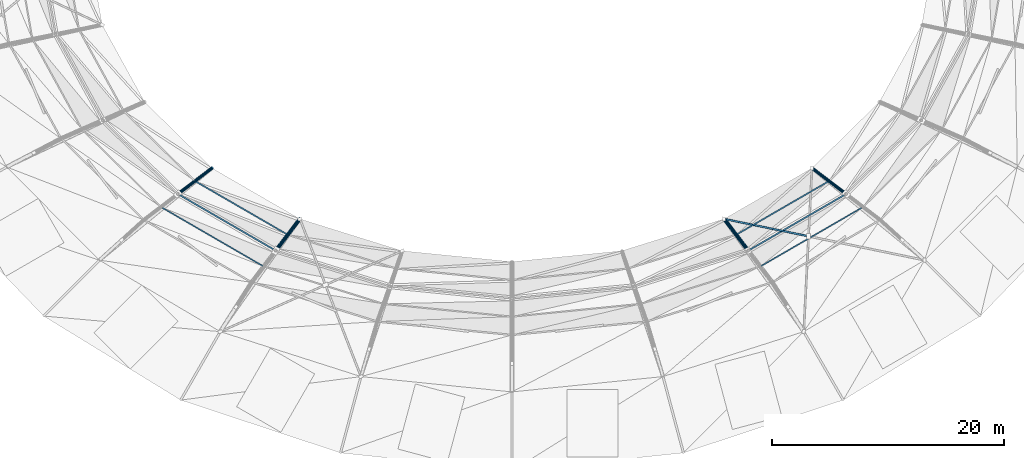
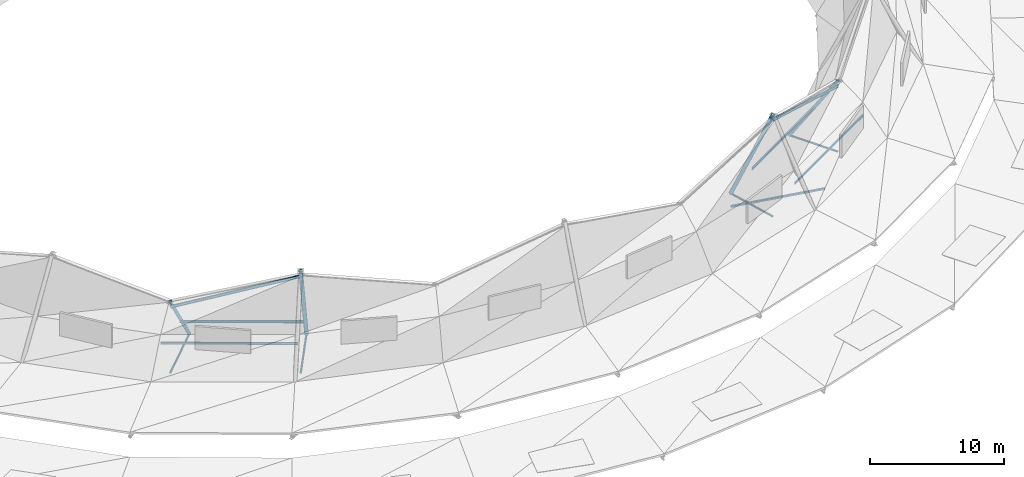
# One storey, part 10 of 36: 15 members.
"""IFC4 building model written with IfcOpenShell, lengths in metres."""

from ifc_helpers import new_model, si_unit, direction, frame, origin, origin_2d, place, context, subcontext, project, spatial, hollow_rectangle, hollow_circle, i_section, extrude, material, material_profile, profile_set, type_object, element, save


model = new_model("IFC4")

# Units and contexts
model_context = context("Model", 3, precision=1e-05, world=origin(), true_north=direction((0.0, 1.0)))
body_context = subcontext(model_context, "Body", "Model", "MODEL_VIEW")
ifc_project = project(units=[si_unit("LENGTHUNIT", "METRE"), si_unit("AREAUNIT", "SQUARE_METRE"), si_unit("VOLUMEUNIT", "CUBIC_METRE"), si_unit("PLANEANGLEUNIT", "RADIAN"), si_unit("MASSUNIT", "GRAM", prefix="KILO")], contexts=[model_context])

# Site, building, storey
site_placement = place(None, origin())
site = spatial("IfcSite", under=ifc_project, at=site_placement, CompositionType="ELEMENT")
building_placement = place(site_placement, origin())
building = spatial("IfcBuilding", under=site, at=building_placement, Name="Kildeholm Park Wholesale Market", CompositionType="ELEMENT")
storey_placement = place(building_placement, frame((0.0, 0.0, 17.39990234375)))
storey = spatial("IfcBuildingStorey", under=building, at=storey_placement, Name="Roof", CompositionType="ELEMENT", Elevation=17.39990234375)

# Members
ifc_material = material(Name="Steel S355", Category="steel")
ifc_material_profile_1 = material_profile(ifc_material, i_section(OverallWidth=0.10009765625, OverallDepth=0.199951171875, WebThickness=0.005615234375, FlangeThickness=0.008544921875, FilletRadius=0.011962890625, at=origin_2d()), Name="IPE 200")
ifc_profile_set_1 = profile_set([ifc_material_profile_1], Name="Steel S355")
member_type_1 = type_object("IfcMemberType", Name="Member PR-01 IPE 200", PredefinedType="PURLIN", material=ifc_profile_set_1)
for number, where, z_axis, x_axis, name in (
    (1, (68.78955078125, 66.714111328125, -0.731689453125), (0.865443179504, -0.501007088822, 0.0), (0.501007088822, 0.865443179504, 0.0), "Member PR-V1-MDO-15 MEM-0203"),
    (2, (120.362548828125, 61.592041015625, -1.15478515625), (0.865443179504, 0.501007088822, 0.0), (-0.501007088822, 0.865443179504, 0.0), "Member PR-V1-MDO-20 MEM-0266"),
):
    element("IfcMember", number, at=place(storey_placement, frame(where, z_axis=z_axis, x_axis=x_axis)), inside=storey, type_object=member_type_1, Name=name, PredefinedType="PURLIN", context=body_context, shape_type="SweptSolid", body=[
        extrude(i_section(OverallWidth=0.10009765625, OverallDepth=0.199951171875, WebThickness=0.005615234375, FlangeThickness=0.008544921875, FilletRadius=0.011962890625, at=origin_2d()), origin(), (0.0, 0.0, 1.0), 10.2236328125),
    ])
ifc_material_profile_2 = material_profile(ifc_material, i_section(OverallWidth=0.1201171875, OverallDepth=0.239990234375, WebThickness=0.006103515625, FlangeThickness=0.009765625, FilletRadius=0.014892578125, at=origin_2d()), Name="IPE 240")
ifc_profile_set_2 = profile_set([ifc_material_profile_2], Name="Steel S355")
member_type_2 = type_object("IfcMemberType", Name="Member PR-02 IPE 240", PredefinedType="PURLIN", material=ifc_profile_set_2)
for number, where, z_axis, x_axis, name in (
    (3, (70.257080078125, 67.827880859375, 1.385009765625), (0.831722673971, -0.481352260994, 0.276653925399), (0.500902684414, 0.865503611054, 0.0), "Member PR-V1-CRWN-15 MEM-0202"),
    (4, (119.324951171875, 62.9560546875, 4.179443359375), (0.831722673971, 0.481352260994, -0.276653925399), (-0.500902684414, 0.865503611054, 0.0), "Member PR-V1-CRWN-20 MEM-0265"),
):
    element("IfcMember", number, at=place(storey_placement, frame(where, z_axis=z_axis, x_axis=x_axis)), inside=storey, type_object=member_type_2, Name=name, PredefinedType="PURLIN", context=body_context, shape_type="SweptSolid", body=[
        extrude(i_section(OverallWidth=0.1201171875, OverallDepth=0.239990234375, WebThickness=0.006103515625, FlangeThickness=0.009765625, FilletRadius=0.014892578125, at=origin_2d()), origin(), (0.0, 0.0, 1.0), 10.12109375),
    ])
ifc_material_profile_3 = material_profile(ifc_material, i_section(OverallWidth=0.110107421875, OverallDepth=0.219970703125, WebThickness=0.005859375, FlangeThickness=0.00927734375, FilletRadius=0.011962890625, at=origin_2d()), Name="IPE 220")
ifc_profile_set_3 = profile_set([ifc_material_profile_3], Name="Steel S355")
member_type_3 = type_object("IfcMemberType", Name="Member PR-03 IPE 220", PredefinedType="PURLIN", material=ifc_profile_set_3)
for number, where, z_axis, x_axis, name in (
    (5, (71.72412109375, 68.94140625, -1.14111328125), (0.865588643817, -0.50075572857, 0.0), (0.50075572857, 0.865588643817, 0.0), "Member PR-V1-MDI-15 MEM-0204"),
    (6, (118.28759765625, 64.320068359375, -0.740234375), (0.865588643817, 0.50075572857, 0.0), (-0.50075572857, 0.865588643817, 0.0), "Member PR-V1-MDI-20 MEM-0267"),
):
    element("IfcMember", number, at=place(storey_placement, frame(where, z_axis=z_axis, x_axis=x_axis)), inside=storey, type_object=member_type_3, Name=name, PredefinedType="PURLIN", context=body_context, shape_type="SweptSolid", body=[
        extrude(i_section(OverallWidth=0.110107421875, OverallDepth=0.219970703125, WebThickness=0.005859375, FlangeThickness=0.00927734375, FilletRadius=0.011962890625, at=origin_2d()), origin(), (0.0, 0.0, 1.0), 9.228759765625),
    ])
ifc_material_profile_4 = material_profile(ifc_material, hollow_circle(Radius=0.084228515625, WallThickness=0.010009765625, at=origin_2d()), Name="CHS 168.3x10")
ifc_profile_set_4 = profile_set([ifc_material_profile_4], Name="Steel S355")
member_type_4 = type_object("IfcMemberType", Name="Member TB-01 CHS 168.3x10", PredefinedType="BRACE", material=ifc_profile_set_4)
member_1_placement = place(storey_placement, frame((70.257080078125, 67.827880859375, -4.6298828125), z_axis=(0.757940261159, 0.575345848572, 0.30741456544), x_axis=(-0.604624369273, 0.796510748252, 0.0)))
element("IfcMember", 7, at=member_1_placement, inside=storey, type_object=member_type_4, Name="Member TR-V1-15-WB3 MEM-0200", PredefinedType="BRACE", context=body_context, shape_type="SweptSolid", body=[
    extrude(hollow_circle(Radius=0.084228515625, WallThickness=0.010009765625, at=origin_2d()), origin(), (0.0, 0.0, 1.0), 3.870849609375),
])
for number, where, z_axis, x_axis, name in (
    (8, (78.675048828125, 62.9560546875, -4.6298828125), (0.571902410077, 0.751904639393, 0.327974155396), (-0.795930166757, 0.605388445254, 0.0), "Member TR-V1-16-WB3 MEM-0212"),
    (9, (119.324951171875, 62.9560546875, -4.6298828125), (-0.571902410077, 0.751904639393, 0.327974155396), (-0.795930166757, -0.605388445254, 0.0), "Member TR-V1-20-WB3 MEM-0263"),
):
    element("IfcMember", number, at=place(storey_placement, frame(where, z_axis=z_axis, x_axis=x_axis)), inside=storey, type_object=member_type_4, Name=name, PredefinedType="BRACE", context=body_context, shape_type="SweptSolid", body=[
        extrude(hollow_circle(Radius=0.084228515625, WallThickness=0.010009765625, at=origin_2d()), origin(), (0.0, 0.0, 1.0), 3.628173828125),
    ])
member_2_placement = place(storey_placement, frame((127.742919921875, 67.827880859375, -4.6298828125), z_axis=(-0.757940261159, 0.575345848572, 0.30741456544), x_axis=(-0.604624369273, -0.796510748252, 0.0)))
element("IfcMember", 10, at=member_2_placement, inside=storey, type_object=member_type_4, Name="Member TR-V1-21-WB3 MEM-0278", PredefinedType="BRACE", context=body_context, shape_type="SweptSolid", body=[
    extrude(hollow_circle(Radius=0.084228515625, WallThickness=0.010009765625, at=origin_2d()), origin(), (0.0, 0.0, 1.0), 3.870849609375),
])
ifc_material_profile_5 = material_profile(ifc_material, hollow_rectangle(XDim=0.159912109375, YDim=0.159912109375, WallThickness=0.010009765625, InnerFilletRadius=0.010009765625, OuterFilletRadius=0.02001953125, at=origin_2d()), Name="SHS 160x160x10")
ifc_profile_set_5 = profile_set([ifc_material_profile_5], Name="Steel S355")
member_type_5 = type_object("IfcMemberType", Name="Member TB-04 SHS 160x160x10", PredefinedType="BRACE", material=ifc_profile_set_5)
member_3_placement = place(storey_placement, frame((124.47412109375, 64.197509765625, -4.6298828125), z_axis=(-0.979477036765, 0.201555784957, 0.0), x_axis=(-0.201555784957, -0.979477036765, 0.0)))
element("IfcMember", 11, at=member_3_placement, inside=storey, type_object=member_type_5, Name="Member BR-V1-RF-20-2B MEM-0270", PredefinedType="BRACE", context=body_context, shape_type="SweptSolid", body=[
    extrude(hollow_rectangle(XDim=0.159912109375, YDim=0.159912109375, WallThickness=0.010009765625, InnerFilletRadius=0.010009765625, OuterFilletRadius=0.02001953125, at=origin_2d()), origin(), (0.0, 0.0, 1.0), 7.37548828125),
])
ifc_material_profile_6 = material_profile(ifc_material, hollow_circle(Radius=0.161865234375, WallThickness=0.01611328125, at=origin_2d()), Name="CHS 323.9x16")
ifc_profile_set_6 = profile_set([ifc_material_profile_6], Name="Steel S355")
member_type_6 = type_object("IfcMemberType", Name="Member TC-01 CHS 323.9x16", PredefinedType="CHORD", material=ifc_profile_set_6)
for number, where, z_axis, x_axis, name in (
    (12, (78.675048828125, 62.9560546875, 4.66015625), (0.235913107624, 0.310165085844, -0.920946591923), (-0.795930166757, 0.605388445254, 0.0), "Member TR-V1-16-TC3 MEM-0207"),
    (13, (119.324951171875, 62.9560546875, 4.66015625), (-0.235913107624, 0.310165085844, -0.920946591923), (-0.795930166757, -0.605388445254, 0.0), "Member TR-V1-20-TC3 MEM-0258"),
):
    element("IfcMember", number, at=place(storey_placement, frame(where, z_axis=z_axis, x_axis=x_axis)), inside=storey, type_object=member_type_6, Name=name, PredefinedType="CHORD", context=body_context, shape_type="SweptSolid", body=[
        extrude(hollow_circle(Radius=0.161865234375, WallThickness=0.01611328125, at=origin_2d()), origin(), (0.0, 0.0, 1.0), 8.79541015625),
    ])
ifc_material_profile_7 = material_profile(ifc_material, hollow_circle(Radius=0.136474609375, WallThickness=0.01611328125, at=origin_2d()), Name="CHS 273x16")
ifc_profile_set_7 = profile_set([ifc_material_profile_7], Name="Steel S355")
member_type_7 = type_object("IfcMemberType", Name="Member TC-02 CHS 273x16", PredefinedType="CHORD", material=ifc_profile_set_7)
for number, where, z_axis, x_axis, name in (
    (14, (70.257080078125, 67.827880859375, 1.860107421875), (0.454557247199, 0.345050445948, -0.821168617746), (-0.604624369273, 0.796510748252, 0.0), "Member TR-V1-15-TC3 MEM-0195"),
    (15, (127.742919921875, 67.827880859375, 1.860107421875), (-0.454557247199, 0.345050445948, -0.821168617746), (-0.604624369273, -0.796510748252, 0.0), "Member TR-V1-21-TC3 MEM-0273"),
):
    element("IfcMember", number, at=place(storey_placement, frame(where, z_axis=z_axis, x_axis=x_axis)), inside=storey, type_object=member_type_7, Name=name, PredefinedType="CHORD", context=body_context, shape_type="SweptSolid", body=[
        extrude(hollow_circle(Radius=0.136474609375, WallThickness=0.01611328125, at=origin_2d()), origin(), (0.0, 0.0, 1.0), 6.454345703125),
    ])

save(model, "model.ifc")
